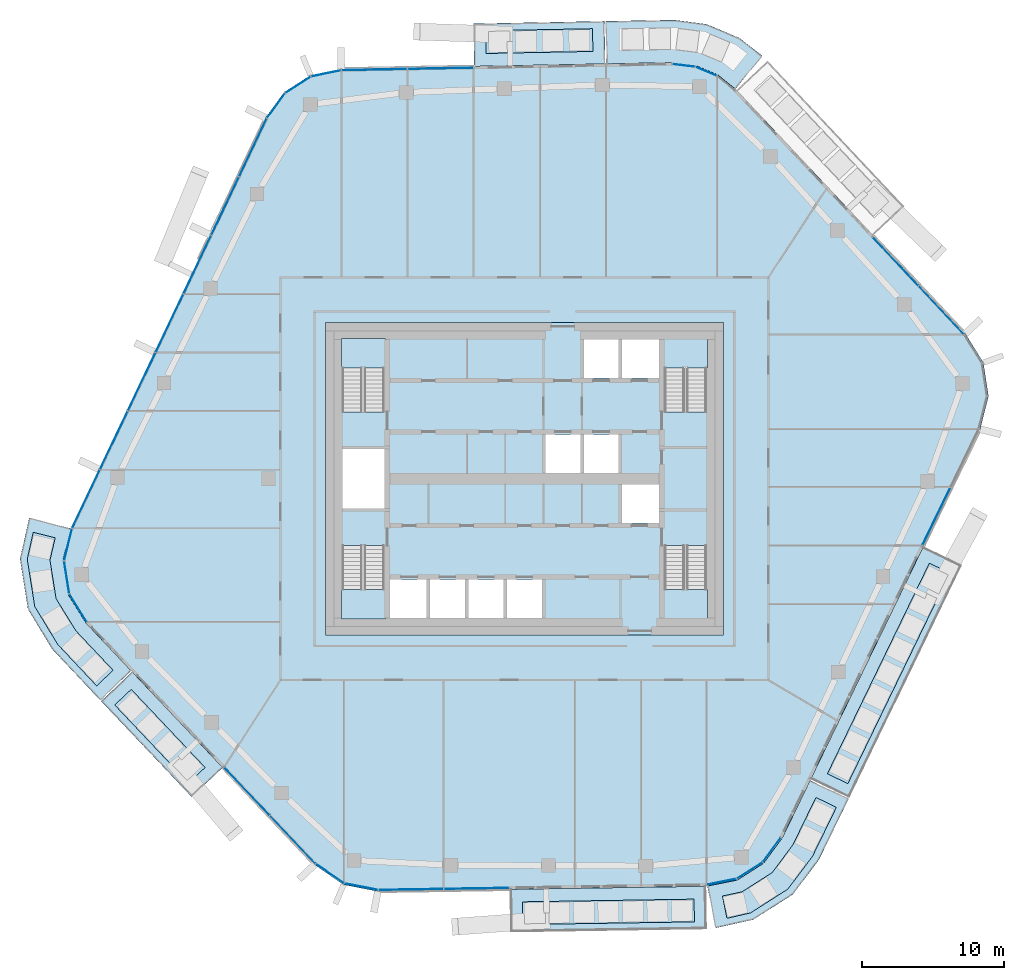
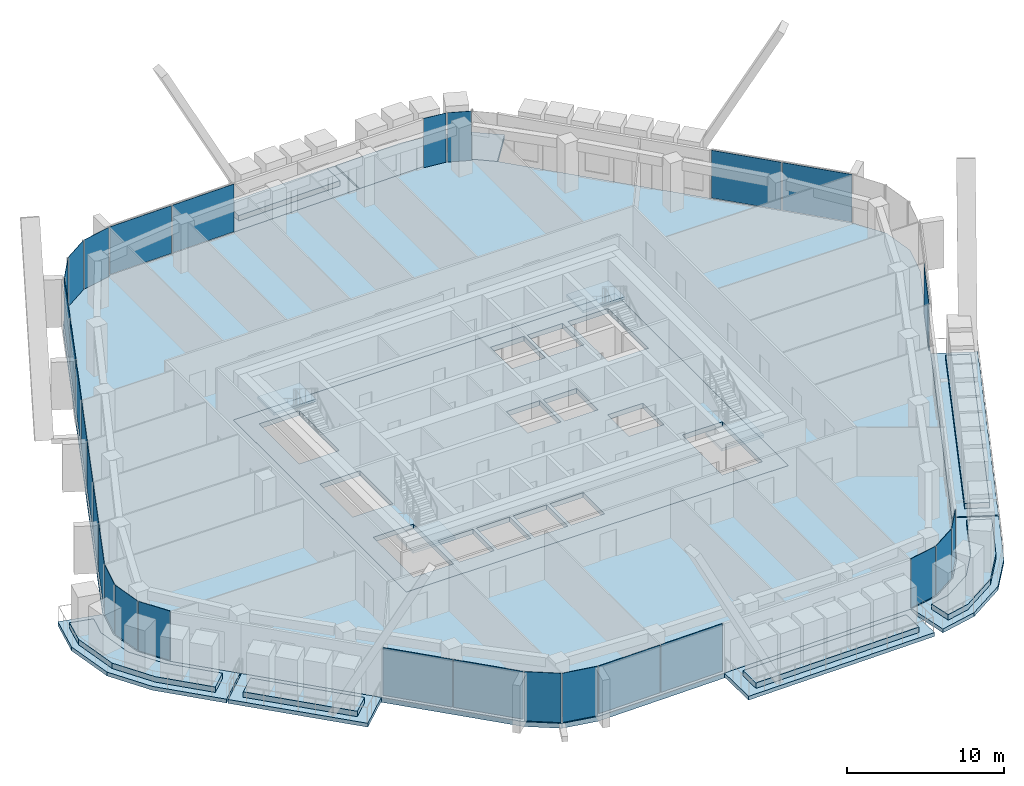
# One storey, part 11 of 24: 29 plates, 19 slabs, 15 elements without a shape of their own.
"""IFC4 building model written with IfcOpenShell, lengths in metres."""

import ifcopenshell
import ifcopenshell.guid

model = None  # the IFC model being written
_history = None  # IfcOwnerHistory: only IFC2X3 demands one
_inside = {}  # id of a spatial element -> (the spatial element, [elements in it])
_under = {}  # id of a project, library or spatial element -> (it, [spatial elements below it])
_declared = {}  # id of a project -> (the project, [libraries it declares])
_typed = {}  # id of a type object -> (the type object, [elements of that type])
_made_of = {}  # id of a material, layer set ... -> (it, [elements and type objects made of it])


def new_model(schema):
    """Start an empty IFC model of exactly this schema.

    Asked for "IFC4X3", IfcOpenShell would pick the latest addendum, in which some entities
    have other attributes; the version numbers below select the first issue.
    IFC2X3 requires an IfcOwnerHistory on every rooted entity: one is made here for all.
    """
    global model, _history
    if schema == "IFC4X3":
        model = ifcopenshell.file(schema_version=(4, 3, 0, 0))
    else:
        model = ifcopenshell.file(schema=schema)
    _inside.clear()
    _under.clear()
    _declared.clear()
    _typed.clear()
    _made_of.clear()
    _history = None
    if model.schema == "IFC2X3":
        org = make("IfcOrganization", Name="unknown")
        user = make(
            "IfcPersonAndOrganization",
            ThePerson=make("IfcPerson", FamilyName="unknown"),
            TheOrganization=org,
        )
        app = make(
            "IfcApplication",
            ApplicationDeveloper=org,
            Version="unknown",
            ApplicationFullName="unknown",
            ApplicationIdentifier="unknown",
        )
        _history = make(
            "IfcOwnerHistory",
            OwningUser=user,
            OwningApplication=app,
            ChangeAction="ADDED",
            CreationDate=0,
        )
    return model


def make(cls, **values):
    """One entity of the class cls with the attributes given. An attribute that is None is left unset."""
    return model.create_entity(
        cls, **{name: value for name, value in values.items() if value is not None}
    )


def rooted(cls, **values):
    """An entity with a GlobalId (a new one), such as an element, a storey or a relation."""
    return make(cls, GlobalId=ifcopenshell.guid.new(), OwnerHistory=_history, **values)


def si_unit(unit_type, name, prefix=None):
    """IfcSIUnit, for example si_unit("LENGTHUNIT", "METRE", prefix="MILLI")."""
    return make("IfcSIUnit", UnitType=unit_type, Prefix=prefix, Name=name)


def assignment(units):
    """IfcUnitAssignment: the units of a project."""
    return None if units is None else make("IfcUnitAssignment", Units=units)


def point(xyz):
    """IfcCartesianPoint."""
    return None if xyz is None else make("IfcCartesianPoint", Coordinates=xyz)


def direction(xyz):
    """IfcDirection."""
    return None if xyz is None else make("IfcDirection", DirectionRatios=xyz)


def frame(location, z_axis=None, x_axis=None):
    """IfcAxis2Placement3D, a coordinate frame: its origin and axes. An axis left out is left unset."""
    return make(
        "IfcAxis2Placement3D",
        Location=point(location),
        Axis=direction(z_axis),
        RefDirection=direction(x_axis),
    )


def frame_2d(location, x_axis=None):
    """IfcAxis2Placement2D, a coordinate frame in the plane: its origin and x axis."""
    return make(
        "IfcAxis2Placement2D", Location=point(location), RefDirection=direction(x_axis)
    )


def origin():
    """The frame at (0, 0, 0) with its axes left unset."""
    return frame((0.0, 0.0, 0.0))


def origin_2d():
    """The frame at (0, 0) in the plane with its x axis left unset."""
    return frame_2d((0.0, 0.0))


def place(relative_to, where):
    """IfcLocalPlacement: puts the frame where relative to a parent placement (None: the world)."""
    return make(
        "IfcLocalPlacement", PlacementRelTo=relative_to, RelativePlacement=where
    )


def context(
    kind, dimensions, precision=None, world=None, true_north=None, identifier=None
):
    """IfcGeometricRepresentationContext, for example the 3D "Model" context."""
    return make(
        "IfcGeometricRepresentationContext",
        ContextIdentifier=identifier,
        ContextType=kind,
        CoordinateSpaceDimension=dimensions,
        Precision=precision,
        WorldCoordinateSystem=world,
        TrueNorth=true_north,
    )


def subcontext(parent, identifier, kind, view, scale=None):
    """IfcGeometricRepresentationSubContext, for example "Body" below "Model"."""
    return make(
        "IfcGeometricRepresentationSubContext",
        ContextIdentifier=identifier,
        ContextType=kind,
        ParentContext=parent,
        TargetScale=scale,
        TargetView=view,
    )


def project(units=None, contexts=None):
    """IfcProject with its units and contexts."""
    return rooted(
        "IfcProject",
        Name="project",
        RepresentationContexts=contexts,
        UnitsInContext=assignment(units),
    )


def spatial(cls, under=None, at=None, **own):
    """A site, building, storey or space (cls), placed at a placement, below another one or the project."""
    s = rooted(cls, ObjectPlacement=at, **own)
    if under is not None:
        _under.setdefault(under.id(), (under, []))[1].append(s)
    return s


def polyline(points):
    """IfcPolyline through the points."""
    return make("IfcPolyline", Points=[point(p) for p in points])


def profile(cls, at=None, kind="AREA", **sizes):
    """A parametric profile (cls). Its sizes go by their IFC names, for example OverallWidth=200.0."""
    return make(cls, ProfileType=kind, Position=at, **sizes)


def rectangle(**sizes):
    """IfcRectangleProfileDef."""
    return profile("IfcRectangleProfileDef", **sizes)


def outline(outer, holes=None, kind="AREA"):
    """IfcArbitraryClosedProfileDef: a profile drawn as a closed curve; with holes, ...WithVoids."""
    if holes is None:
        return make("IfcArbitraryClosedProfileDef", ProfileType=kind, OuterCurve=outer)
    return make(
        "IfcArbitraryProfileDefWithVoids",
        ProfileType=kind,
        OuterCurve=outer,
        InnerCurves=holes,
    )


def extrude(swept, where, along, depth):
    """IfcExtrudedAreaSolid: the profile swept, set in the frame where, extruded along a direction by depth."""
    return make(
        "IfcExtrudedAreaSolid",
        SweptArea=swept,
        Position=where,
        ExtrudedDirection=direction(along),
        Depth=depth,
    )


def shape(context_of_items, identifier, shape_type, items):
    """IfcShapeRepresentation: the items that make up one representation, for example the "Body"."""
    return make(
        "IfcShapeRepresentation",
        ContextOfItems=context_of_items,
        RepresentationIdentifier=identifier,
        RepresentationType=shape_type,
        Items=items,
    )


def material(Name=None, Category=None):
    """IfcMaterial."""
    return make("IfcMaterial", Name=Name, Category=Category)


def layer(
    of_material, thickness, ventilated=None, Name=None, Category=None, Priority=None
):
    """IfcMaterialLayer: one layer of a wall or slab, of a material (None: an air gap)."""
    return make(
        "IfcMaterialLayer",
        Material=of_material,
        LayerThickness=thickness,
        IsVentilated=ventilated,
        Name=Name,
        Category=Category,
        Priority=Priority,
    )


def layer_set(layers, Name=None):
    """IfcMaterialLayerSet."""
    return make("IfcMaterialLayerSet", MaterialLayers=layers, LayerSetName=Name)


def made_of(thing, what):
    """Note that an element or type object is made of a material, layer set ...; save() writes the relation."""
    if what is not None:
        _made_of.setdefault(what.id(), (what, []))[1].append(thing)
    return thing


def type_object(cls, material=None, **own):
    """A type object (cls), such as IfcWallType, which elements share."""
    return made_of(rooted(cls, **own), material)


def element(
    cls,
    number,
    at=None,
    inside=None,
    cuts=None,
    type_object=None,
    material=None,
    context=None,
    identifier="Body",
    shape_type=None,
    held_by="IfcProductDefinitionShape",
    body=None,
    shapes=None,
    **own,
):
    """One element of the class cls, such as IfcWall. Its Tag is "e" and its number.

    at: its placement. inside: the storey or other place that contains it. cuts: it is an
    opening in that element (IfcRelVoidsElement). A single representation is given by context,
    identifier, shape_type and body (its items); several are given by shapes. held_by: the class
    of the entity that holds the representations. save() writes the other relations.
    """
    e = rooted(cls, Tag="e%d" % number, ObjectPlacement=at, **own)
    if body is not None:
        shapes = [shape(context, identifier, shape_type, body)]
    if shapes is not None:
        e.Representation = make(held_by, Representations=shapes)
    if inside is not None:
        _inside.setdefault(inside.id(), (inside, []))[1].append(e)
    if cuts is not None:
        rooted(
            "IfcRelVoidsElement", RelatingBuildingElement=cuts, RelatedOpeningElement=e
        )
    if type_object is not None:
        _typed.setdefault(type_object.id(), (type_object, []))[1].append(e)
    return made_of(e, material)


def aggregate(whole, parts):
    """IfcRelAggregates: a whole, such as a stair, and the parts it consists of."""
    return rooted("IfcRelAggregates", RelatingObject=whole, RelatedObjects=parts)


def save(model, path):
    """Write the relations noted so far, then the file.

    IfcRelAggregates (storeys below a building ...), IfcRelContainedInSpatialStructure (elements
    in a storey), IfcRelDefinesByType, IfcRelAssociatesMaterial and IfcRelDeclares: one each for
    every whole, place, type object, material and project.
    """
    for whole, parts in _under.values():
        aggregate(whole, parts)
    for where, things in _inside.values():
        rooted(
            "IfcRelContainedInSpatialStructure",
            RelatedElements=things,
            RelatingStructure=where,
        )
    for kind, things in _typed.values():
        rooted("IfcRelDefinesByType", RelatedObjects=things, RelatingType=kind)
    for what, things in _made_of.values():
        rooted("IfcRelAssociatesMaterial", RelatedObjects=things, RelatingMaterial=what)
    for by, libraries in _declared.values():
        rooted("IfcRelDeclares", RelatingContext=by, RelatedDefinitions=libraries)
    model.write(path)


model = new_model("IFC4")

# Units and contexts
model_context = context("Model", 3, precision=1e-05, world=origin(), true_north=direction((0.0, 1.0)))
body_context = subcontext(model_context, "Body", "Model", "MODEL_VIEW")
ifc_project = project(units=[si_unit("LENGTHUNIT", "METRE"), si_unit("AREAUNIT", "SQUARE_METRE"), si_unit("VOLUMEUNIT", "CUBIC_METRE"), si_unit("PLANEANGLEUNIT", "RADIAN"), si_unit("MASSUNIT", "GRAM", prefix="KILO")], contexts=[model_context])

# Site, building, storey
site_placement = place(None, origin())
site = spatial("IfcSite", under=ifc_project, at=site_placement, CompositionType="ELEMENT")
building_placement = place(site_placement, origin())
building = spatial("IfcBuilding", under=site, at=building_placement, Name="Dongbaek Canopy Tower", CompositionType="ELEMENT")
storey_placement = place(building_placement, frame((0.0, 0.0, 298.39990234375)))
storey = spatial("IfcBuildingStorey", under=building, at=storey_placement, Name="L63", CompositionType="ELEMENT", Elevation=298.39990234375)

# Slabs
ifc_material_1 = material(Name="Concrete C40/50", Category="concrete")
ifc_layer_1 = layer(ifc_material_1, 0.300048828125)
ifc_layer_set_1 = layer_set([ifc_layer_1], Name="Balcony slab 300")
slab_type_1 = type_object("IfcSlabType", Name="Balcony slab 300", PredefinedType="FLOOR", material=ifc_layer_set_1)
slab_1_placement = place(storey_placement, frame((0.0, 0.0, -0.2998046875)))
element("IfcSlab", 1, at=slab_1_placement, inside=storey, type_object=slab_type_1, Name="Balcony L63 2", PredefinedType="FLOOR", context=body_context, shape_type="SweptSolid", body=[
    extrude(outline(polyline([(5.68310546875, 29.171875), (-3.52685546875, 28.99755859375), (-3.58349609375, 31.9970703125), (5.62646484375, 32.17138671875), (5.68310546875, 29.171875)])), origin(), (0.0, 0.0, 1.0), 0.2998046875),
])
slab_2_placement = place(storey_placement, frame((0.0, 0.0, -0.2998046875)))
element("IfcSlab", 2, at=slab_2_placement, inside=storey, type_object=slab_type_1, Name="Balcony L63 6", PredefinedType="FLOOR", context=body_context, shape_type="SweptSolid", body=[
    extrude(outline(polyline([(14.834716796875, 27.402099609375), (13.575927734375, 28.414306640625), (12.041259765625, 29.060791015625), (10.387939453125, 29.2607421875), (5.782958984375, 29.173583984375), (5.726318359375, 32.173095703125), (10.5400390625, 32.2568359375), (12.81103515625, 31.96044921875), (15.113037109375, 30.990478515625), (16.714599609375, 29.740234375), (14.834716796875, 27.402099609375)])), origin(), (0.0, 0.0, 1.0), 0.2998046875),
])
slab_3_placement = place(storey_placement, frame((0.0, 0.0, -0.2998046875)))
element("IfcSlab", 3, at=slab_3_placement, inside=storey, type_object=slab_type_1, Name="Balcony L63 3", PredefinedType="FLOOR", context=body_context, shape_type="SweptSolid", body=[
    extrude(outline(polyline([(-27.58154296875, -13.57568359375), (-21.217041015625, -20.3017578125), (-23.39599609375, -22.36376953125), (-29.7607421875, -15.6376953125), (-27.58154296875, -13.57568359375)])), origin(), (0.0, 0.0, 1.0), 0.2998046875),
])
slab_4_placement = place(storey_placement, frame((0.0, 0.0, -0.2998046875)))
element("IfcSlab", 4, at=slab_4_placement, inside=storey, type_object=slab_type_1, Name="Balcony L63 7", PredefinedType="FLOOR", context=body_context, shape_type="SweptSolid", body=[
    extrude(outline(polyline([(-31.906005859375, -3.48974609375), (-32.468994140625, -5.757568359375), (-32.095458984375, -8.114990234375), (-30.832763671875, -10.14013671875), (-27.650390625, -13.503173828125), (-29.829345703125, -15.565185546875), (-33.20703125, -11.973876953125), (-34.906005859375, -9.164306640625), (-35.46630859375, -5.62841796875), (-34.817626953125, -2.76708984375), (-31.906005859375, -3.48974609375)])), origin(), (0.0, 0.0, 1.0), 0.2998046875),
])
slab_5_placement = place(storey_placement, frame((0.0, 0.0, -0.2998046875)))
element("IfcSlab", 5, at=slab_5_placement, inside=storey, type_object=slab_type_1, Name="Balcony L63 4", PredefinedType="FLOOR", context=body_context, shape_type="SweptSolid", body=[
    extrude(outline(polyline([(-1.003173828125, -28.866455078125), (12.76220703125, -28.650634765625), (12.809326171875, -31.650146484375), (-0.956298828125, -31.8662109375), (-1.003173828125, -28.866455078125)])), origin(), (0.0, 0.0, 1.0), 0.2998046875),
])
slab_6_placement = place(storey_placement, frame((0.0, 0.0, -0.2998046875)))
element("IfcSlab", 6, at=slab_6_placement, inside=storey, type_object=slab_type_1, Name="Balcony L63 5", PredefinedType="FLOOR", context=body_context, shape_type="SweptSolid", body=[
    extrude(outline(polyline([(20.128662109375, -21.11474609375), (28.0390625, -4.780517578125), (30.739013671875, -6.088134765625), (22.82861328125, -22.42236328125), (20.128662109375, -21.11474609375)])), origin(), (0.0, 0.0, 1.0), 0.2998046875),
])
slab_7_placement = place(storey_placement, frame((0.0, 0.0, -0.2998046875)))
element("IfcSlab", 7, at=slab_7_placement, inside=storey, type_object=slab_type_1, Name="Balcony L63 8", PredefinedType="FLOOR", context=body_context, shape_type="SweptSolid", body=[
    extrude(outline(polyline([(12.861328125, -28.639892578125), (14.96435546875, -28.214111328125), (16.815673828125, -27.033447265625), (18.118408203125, -25.265625), (20.0849609375, -21.20458984375), (22.78515625, -22.51220703125), (20.686767578125, -26.81591796875), (18.864501953125, -29.224853515625), (16.087646484375, -30.99609375), (13.45654296875, -31.580322265625), (12.861328125, -28.639892578125)])), origin(), (0.0, 0.0, 1.0), 0.2998046875),
])

# Curtain wall, plates
ifc_material_2 = material(Name="Aluminium 6063-T6 pale anodised", Category="aluminium")
ifc_layer_2 = layer(ifc_material_2, 0.199951171875)
ifc_layer_set_2 = layer_set([ifc_layer_2], Name="CW-1 unitised tower curtain wall")
curtain_wall_type = type_object("IfcCurtainWallType", Name="CW-1 unitised tower curtain wall", PredefinedType="NOTDEFINED", material=ifc_layer_set_2)
curtain_wall_1_placement = place(storey_placement, origin())
curtain_wall_1 = element("IfcCurtainWall", 8, at=curtain_wall_1_placement, inside=storey, type_object=curtain_wall_type, Name="CW-1 curtain wall F0.1", PredefinedType="NOTDEFINED")
ifc_material_3 = material(Name="Clear laminated glass", Category="glass")
ifc_layer_3 = layer(ifc_material_3, 0.028076171875)
ifc_layer_set_3 = layer_set([ifc_layer_3], Name="CW-1 glazed panel 28")
plate_type = type_object("IfcPlateType", Name="CW-1 glazed panel 28", PredefinedType="CURTAIN_PANEL", material=ifc_layer_set_3)
plate_1_placement = place(storey_placement, frame((29.320068359375, 11.85302734375, 0.1201171875), z_axis=(0.0, 0.0, 1.0), x_axis=(-0.684830626177, 0.728702280393, 0.0)))
plate_1 = element("IfcPlate", 9, at=plate_1_placement, type_object=plate_type, Name="CW-1 panel F0.1.1.1", PredefinedType="CURTAIN_PANEL", context=body_context, shape_type="SweptSolid", body=[
    extrude(rectangle(XDim=4.618408203125, YDim=0.028076171875, at=origin_2d()), origin(), (0.0, 0.0, 1.0), 3.699951171875),
])
plate_2_placement = place(storey_placement, frame((26.09619140625, 15.283203125, 0.1201171875), z_axis=(0.0, 0.0, 1.0), x_axis=(-0.684830626177, 0.728702280393, 0.0)))
plate_2 = element("IfcPlate", 10, at=plate_2_placement, type_object=plate_type, Name="CW-1 panel F0.1.2.1", PredefinedType="CURTAIN_PANEL", context=body_context, shape_type="SweptSolid", body=[
    extrude(rectangle(XDim=4.62841796875, YDim=0.028076171875, at=origin_2d()), origin(), (0.0, 0.0, 1.0), 3.699951171875),
])
aggregate(curtain_wall_1, [plate_1, plate_2])

curtain_wall_2_placement = place(storey_placement, origin())
curtain_wall_2 = element("IfcCurtainWall", 11, at=curtain_wall_2_placement, inside=storey, type_object=curtain_wall_type, Name="CW-1 curtain wall K1.1", PredefinedType="NOTDEFINED")
plate_3_placement = place(storey_placement, frame((12.769775390625, 28.6455078125, 0.0), z_axis=(0.0, 0.0, 1.0), x_axis=(-0.921543381479, 0.38827541263, 0.0)))
plate_3 = element("IfcPlate", 12, at=plate_3_placement, type_object=plate_type, Name="CW-1 panel K1.1.2.1", PredefinedType="CURTAIN_PANEL", context=body_context, shape_type="SweptSolid", body=[
    extrude(rectangle(XDim=1.55322265625, YDim=0.028076171875, at=origin_2d()), origin(), (0.0, 0.0, 1.0), 3.820068359375),
])
plate_4_placement = place(storey_placement, frame((11.198974609375, 29.06201171875, 0.0), z_axis=(0.0, 0.0, 1.0), x_axis=(-0.992770795832, 0.120025609533, 0.0)))
plate_4 = element("IfcPlate", 13, at=plate_4_placement, type_object=plate_type, Name="CW-1 panel K1.1.3.1", PredefinedType="CURTAIN_PANEL", context=body_context, shape_type="SweptSolid", body=[
    extrude(rectangle(XDim=1.560302734375, YDim=0.028076171875, at=origin_2d()), origin(), (0.0, 0.0, 1.0), 3.820068359375),
])
aggregate(curtain_wall_2, [plate_3, plate_4])

curtain_wall_3_placement = place(storey_placement, origin())
curtain_wall_3 = element("IfcCurtainWall", 14, at=curtain_wall_3_placement, inside=storey, type_object=curtain_wall_type, Name="CW-1 curtain wall F1.1", PredefinedType="NOTDEFINED")
plate_5_placement = place(storey_placement, frame((-5.90234375, 28.852783203125, 0.1201171875), z_axis=(0.0, 0.0, 1.0), x_axis=(-0.999821283067, -0.018905076744, 0.0)))
plate_5 = element("IfcPlate", 15, at=plate_5_placement, type_object=plate_type, Name="CW-1 panel F1.1.1.1", PredefinedType="CURTAIN_PANEL", context=body_context, shape_type="SweptSolid", body=[
    extrude(rectangle(XDim=4.57177734375, YDim=0.028076171875, at=origin_2d()), origin(), (0.0, 0.0, 1.0), 3.699951171875),
])
plate_6_placement = place(storey_placement, frame((-10.552734375, 28.764892578125, 0.1201171875), z_axis=(0.0, 0.0, 1.0), x_axis=(-0.999821283067, -0.018905076744, 0.0)))
plate_6 = element("IfcPlate", 16, at=plate_6_placement, type_object=plate_type, Name="CW-1 panel F1.1.2.1", PredefinedType="CURTAIN_PANEL", context=body_context, shape_type="SweptSolid", body=[
    extrude(rectangle(XDim=4.5625, YDim=0.028076171875, at=origin_2d()), origin(), (0.0, 0.0, 1.0), 3.699951171875),
])
aggregate(curtain_wall_3, [plate_5, plate_6])

curtain_wall_4_placement = place(storey_placement, origin())
curtain_wall_4 = element("IfcCurtainWall", 17, at=curtain_wall_4_placement, inside=storey, type_object=curtain_wall_type, Name="CW-1 curtain wall K2.1", PredefinedType="NOTDEFINED")
plate_7_placement = place(storey_placement, frame((-13.941162109375, 28.500732421875, 0.0), z_axis=(0.0, 0.0, 1.0), x_axis=(-0.979338843238, -0.202226185556, 0.0)))
plate_7 = element("IfcPlate", 18, at=plate_7_placement, type_object=plate_type, Name="CW-1 panel K2.1.1.1", PredefinedType="CURTAIN_PANEL", context=body_context, shape_type="SweptSolid", body=[
    extrude(rectangle(XDim=2.092041015625, YDim=0.028076171875, at=origin_2d()), origin(), (0.0, 0.0, 1.0), 3.820068359375),
])
plate_8_placement = place(storey_placement, frame((-15.9169921875, 27.693359375, 0.0), z_axis=(0.0, 0.0, 1.0), x_axis=(-0.840235342412, -0.542221882039, 0.0)))
plate_8 = element("IfcPlate", 19, at=plate_8_placement, type_object=plate_type, Name="CW-1 panel K2.1.2.1", PredefinedType="CURTAIN_PANEL", context=body_context, shape_type="SweptSolid", body=[
    extrude(rectangle(XDim=2.082763671875, YDim=0.028076171875, at=origin_2d()), origin(), (0.0, 0.0, 1.0), 3.820068359375),
])
plate_9_placement = place(storey_placement, frame((-17.466796875, 26.2255859375, 0.0), z_axis=(0.0, 0.0, 1.0), x_axis=(-0.587744722494, -0.809046439446, 0.0)))
plate_9 = element("IfcPlate", 20, at=plate_9_placement, type_object=plate_type, Name="CW-1 panel K2.1.3.1", PredefinedType="CURTAIN_PANEL", context=body_context, shape_type="SweptSolid", body=[
    extrude(rectangle(XDim=2.092041015625, YDim=0.028076171875, at=origin_2d()), origin(), (0.0, 0.0, 1.0), 3.820068359375),
])
aggregate(curtain_wall_4, [plate_7, plate_8, plate_9])

curtain_wall_5_placement = place(storey_placement, origin())
curtain_wall_5 = element("IfcCurtainWall", 21, at=curtain_wall_5_placement, inside=storey, type_object=curtain_wall_type, Name="CW-1 curtain wall F2.1", PredefinedType="NOTDEFINED")
plate_10_placement = place(storey_placement, frame((-19.0830078125, 23.28955078125, 0.1201171875), z_axis=(0.0, 0.0, 1.0), x_axis=(-0.429143310174, -0.903236413866, 0.0)))
plate_10 = element("IfcPlate", 22, at=plate_10_placement, type_object=plate_type, Name="CW-1 panel F2.1.1.1", PredefinedType="CURTAIN_PANEL", context=body_context, shape_type="SweptSolid", body=[
    extrude(rectangle(XDim=4.4677734375, YDim=0.028076171875, at=origin_2d()), origin(), (0.0, 0.0, 1.0), 3.699951171875),
])
plate_11_placement = place(storey_placement, frame((-21.038330078125, 19.174072265625, 0.1201171875), z_axis=(0.0, 0.0, 1.0), x_axis=(-0.429143310174, -0.903236413866, 0.0)))
plate_11 = element("IfcPlate", 23, at=plate_11_placement, type_object=plate_type, Name="CW-1 panel F2.1.2.1", PredefinedType="CURTAIN_PANEL", context=body_context, shape_type="SweptSolid", body=[
    extrude(rectangle(XDim=4.47705078125, YDim=0.028076171875, at=origin_2d()), origin(), (0.0, 0.0, 1.0), 3.699951171875),
])
plate_12_placement = place(storey_placement, frame((-22.99560546875, 15.054443359375, 0.1201171875), z_axis=(0.0, 0.0, 1.0), x_axis=(-0.429143310174, -0.903236413866, 0.0)))
plate_12 = element("IfcPlate", 24, at=plate_12_placement, type_object=plate_type, Name="CW-1 panel F2.1.3.1", PredefinedType="CURTAIN_PANEL", context=body_context, shape_type="SweptSolid", body=[
    extrude(rectangle(XDim=4.47705078125, YDim=0.028076171875, at=origin_2d()), origin(), (0.0, 0.0, 1.0), 3.699951171875),
])
plate_13_placement = place(storey_placement, frame((-24.952880859375, 10.934814453125, 0.1201171875), z_axis=(0.0, 0.0, 1.0), x_axis=(-0.429143310174, -0.903236413866, 0.0)))
plate_13 = element("IfcPlate", 25, at=plate_13_placement, type_object=plate_type, Name="CW-1 panel F2.1.4.1", PredefinedType="CURTAIN_PANEL", context=body_context, shape_type="SweptSolid", body=[
    extrude(rectangle(XDim=4.47705078125, YDim=0.028076171875, at=origin_2d()), origin(), (0.0, 0.0, 1.0), 3.699951171875),
])
plate_14_placement = place(storey_placement, frame((-26.910400390625, 6.81494140625, 0.1201171875), z_axis=(0.0, 0.0, 1.0), x_axis=(-0.429143310174, -0.903236413866, 0.0)))
plate_14 = element("IfcPlate", 26, at=plate_14_placement, type_object=plate_type, Name="CW-1 panel F2.1.5.1", PredefinedType="CURTAIN_PANEL", context=body_context, shape_type="SweptSolid", body=[
    extrude(rectangle(XDim=4.47705078125, YDim=0.028076171875, at=origin_2d()), origin(), (0.0, 0.0, 1.0), 3.699951171875),
])
plate_15_placement = place(storey_placement, frame((-28.86767578125, 2.6953125, 0.1201171875), z_axis=(0.0, 0.0, 1.0), x_axis=(-0.429143310174, -0.903236413866, 0.0)))
plate_15 = element("IfcPlate", 27, at=plate_15_placement, type_object=plate_type, Name="CW-1 panel F2.1.6.1", PredefinedType="CURTAIN_PANEL", context=body_context, shape_type="SweptSolid", body=[
    extrude(rectangle(XDim=4.47705078125, YDim=0.028076171875, at=origin_2d()), origin(), (0.0, 0.0, 1.0), 3.699951171875),
])
plate_16_placement = place(storey_placement, frame((-30.82275390625, -1.419921875, 0.1201171875), z_axis=(0.0, 0.0, 1.0), x_axis=(-0.429143310174, -0.903236413866, 0.0)))
plate_16 = element("IfcPlate", 28, at=plate_16_placement, type_object=plate_type, Name="CW-1 panel F2.1.7.1", PredefinedType="CURTAIN_PANEL", context=body_context, shape_type="SweptSolid", body=[
    extrude(rectangle(XDim=4.467041015625, YDim=0.028076171875, at=origin_2d()), origin(), (0.0, 0.0, 1.0), 3.699951171875),
])
aggregate(curtain_wall_5, [plate_10, plate_11, plate_12, plate_13, plate_14, plate_15, plate_16])

curtain_wall_6_placement = place(storey_placement, origin())
curtain_wall_6 = element("IfcCurtainWall", 29, at=curtain_wall_6_placement, inside=storey, type_object=curtain_wall_type, Name="CW-1 curtain wall K3.1", PredefinedType="NOTDEFINED")
plate_17_placement = place(storey_placement, frame((-32.083251953125, -4.61865234375, 0.0), z_axis=(0.0, 0.0, 1.0), x_axis=(-0.240927401867, -0.970543140221, 0.0)))
plate_17 = element("IfcPlate", 30, at=plate_17_placement, type_object=plate_type, Name="CW-1 panel K3.1.1.1", PredefinedType="CURTAIN_PANEL", context=body_context, shape_type="SweptSolid", body=[
    extrude(rectangle(XDim=2.272216796875, YDim=0.028076171875, at=origin_2d()), origin(), (0.0, 0.0, 1.0), 3.820068359375),
])
plate_18_placement = place(storey_placement, frame((-32.18359375, -6.920654296875, 0.0), z_axis=(0.0, 0.0, 1.0), x_axis=(0.156478612427, -0.987681347325, 0.0)))
plate_18 = element("IfcPlate", 31, at=plate_18_placement, type_object=plate_type, Name="CW-1 panel K3.1.2.1", PredefinedType="CURTAIN_PANEL", context=body_context, shape_type="SweptSolid", body=[
    extrude(rectangle(XDim=2.261962890625, YDim=0.028076171875, at=origin_2d()), origin(), (0.0, 0.0, 1.0), 3.820068359375),
])
plate_19_placement = place(storey_placement, frame((-31.37646484375, -9.078857421875, 0.0), z_axis=(0.0, 0.0, 1.0), x_axis=(0.529125757844, -0.848543418091, 0.0)))
plate_19 = element("IfcPlate", 32, at=plate_19_placement, type_object=plate_type, Name="CW-1 panel K3.1.3.1", PredefinedType="CURTAIN_PANEL", context=body_context, shape_type="SweptSolid", body=[
    extrude(rectangle(XDim=2.272216796875, YDim=0.028076171875, at=origin_2d()), origin(), (0.0, 0.0, 1.0), 3.820068359375),
])
aggregate(curtain_wall_6, [plate_17, plate_18, plate_19])

curtain_wall_7_placement = place(storey_placement, origin())
curtain_wall_7 = element("IfcCurtainWall", 33, at=curtain_wall_7_placement, inside=storey, type_object=curtain_wall_type, Name="CW-1 curtain wall F3.1", PredefinedType="NOTDEFINED")
plate_20_placement = place(storey_placement, frame((-19.501708984375, -21.96923828125, 0.1201171875), z_axis=(0.0, 0.0, 1.0), x_axis=(0.687319879132, -0.72635486076, 0.0)))
plate_20 = element("IfcPlate", 34, at=plate_20_placement, type_object=plate_type, Name="CW-1 panel F3.1.1.1", PredefinedType="CURTAIN_PANEL", context=body_context, shape_type="SweptSolid", body=[
    extrude(rectangle(XDim=4.595947265625, YDim=0.028076171875, at=origin_2d()), origin(), (0.0, 0.0, 1.0), 3.699951171875),
])
plate_21_placement = place(storey_placement, frame((-16.28857421875, -25.36474609375, 0.1201171875), z_axis=(0.0, 0.0, 1.0), x_axis=(0.687319879132, -0.72635486076, 0.0)))
plate_21 = element("IfcPlate", 35, at=plate_21_placement, type_object=plate_type, Name="CW-1 panel F3.1.2.1", PredefinedType="CURTAIN_PANEL", context=body_context, shape_type="SweptSolid", body=[
    extrude(rectangle(XDim=4.585693359375, YDim=0.028076171875, at=origin_2d()), origin(), (0.0, 0.0, 1.0), 3.699951171875),
])
aggregate(curtain_wall_7, [plate_20, plate_21])

curtain_wall_8_placement = place(storey_placement, origin())
curtain_wall_8 = element("IfcCurtainWall", 36, at=curtain_wall_8_placement, inside=storey, type_object=curtain_wall_type, Name="CW-1 curtain wall K4.1", PredefinedType="NOTDEFINED")
plate_22_placement = place(storey_placement, frame((-13.68212890625, -27.75439453125, 0.0), z_axis=(0.0, 0.0, 1.0), x_axis=(0.822028873254, -0.569445810886, 0.0)))
plate_22 = element("IfcPlate", 37, at=plate_22_placement, type_object=plate_type, Name="CW-1 panel K4.1.1.1", PredefinedType="CURTAIN_PANEL", context=body_context, shape_type="SweptSolid", body=[
    extrude(rectangle(XDim=2.352783203125, YDim=0.028076171875, at=origin_2d()), origin(), (0.0, 0.0, 1.0), 3.820068359375),
])
plate_23_placement = place(storey_placement, frame((-11.484375, -28.68017578125, 0.0), z_axis=(0.0, 0.0, 1.0), x_axis=(0.981722233232, -0.190319354711, 0.0)))
plate_23 = element("IfcPlate", 38, at=plate_23_placement, type_object=plate_type, Name="CW-1 panel K4.1.2.1", PredefinedType="CURTAIN_PANEL", context=body_context, shape_type="SweptSolid", body=[
    extrude(rectangle(XDim=2.352783203125, YDim=0.028076171875, at=origin_2d()), origin(), (0.0, 0.0, 1.0), 3.820068359375),
])
aggregate(curtain_wall_8, [plate_22, plate_23])

curtain_wall_9_placement = place(storey_placement, origin())
curtain_wall_9 = element("IfcCurtainWall", 39, at=curtain_wall_9_placement, inside=storey, type_object=curtain_wall_type, Name="CW-1 curtain wall F4.1", PredefinedType="NOTDEFINED")
plate_24_placement = place(storey_placement, frame((-7.982421875, -28.8759765625, 0.1201171875), z_axis=(0.0, 0.0, 1.0), x_axis=(0.999876999065, 0.015683964455, 0.0)))
plate_24 = element("IfcPlate", 40, at=plate_24_placement, type_object=plate_type, Name="CW-1 panel F4.1.1.1", PredefinedType="CURTAIN_PANEL", context=body_context, shape_type="SweptSolid", body=[
    extrude(rectangle(XDim=4.528076171875, YDim=0.028076171875, at=origin_2d()), origin(), (0.0, 0.0, 1.0), 3.699951171875),
])
plate_25_placement = place(storey_placement, frame((-3.36572265625, -28.803466796875, 0.1201171875), z_axis=(0.0, 0.0, 1.0), x_axis=(0.999876999065, 0.015683964455, 0.0)))
plate_25 = element("IfcPlate", 41, at=plate_25_placement, type_object=plate_type, Name="CW-1 panel F4.1.2.1", PredefinedType="CURTAIN_PANEL", context=body_context, shape_type="SweptSolid", body=[
    extrude(rectangle(XDim=4.538330078125, YDim=0.028076171875, at=origin_2d()), origin(), (0.0, 0.0, 1.0), 3.699951171875),
])
aggregate(curtain_wall_9, [plate_24, plate_25])

curtain_wall_10_placement = place(storey_placement, origin())
curtain_wall_10 = element("IfcCurtainWall", 42, at=curtain_wall_10_placement, inside=storey, type_object=curtain_wall_type, Name="CW-1 curtain wall K5.1", PredefinedType="NOTDEFINED")
plate_26_placement = place(storey_placement, frame((13.864013671875, -28.3349609375, 0.0), z_axis=(0.0, 0.0, 1.0), x_axis=(0.98012540497, 0.19837890647, 0.0)))
plate_26 = element("IfcPlate", 43, at=plate_26_placement, type_object=plate_type, Name="CW-1 panel K5.1.1.1", PredefinedType="CURTAIN_PANEL", context=body_context, shape_type="SweptSolid", body=[
    extrude(rectangle(XDim=2.083984375, YDim=0.028076171875, at=origin_2d()), origin(), (0.0, 0.0, 1.0), 3.820068359375),
])
plate_27_placement = place(storey_placement, frame((15.83642578125, -27.53955078125, 0.0), z_axis=(0.0, 0.0, 1.0), x_axis=(0.843117414941, 0.53772950879, 0.0)))
plate_27 = element("IfcPlate", 44, at=plate_27_placement, type_object=plate_type, Name="CW-1 panel K5.1.2.1", PredefinedType="CURTAIN_PANEL", context=body_context, shape_type="SweptSolid", body=[
    extrude(rectangle(XDim=2.074462890625, YDim=0.028076171875, at=origin_2d()), origin(), (0.0, 0.0, 1.0), 3.820068359375),
])
plate_28_placement = place(storey_placement, frame((17.389404296875, -26.08642578125, 0.0), z_axis=(0.0, 0.0, 1.0), x_axis=(0.593190692138, 0.805061986906, 0.0)))
plate_28 = element("IfcPlate", 45, at=plate_28_placement, type_object=plate_type, Name="CW-1 panel K5.1.3.1", PredefinedType="CURTAIN_PANEL", context=body_context, shape_type="SweptSolid", body=[
    extrude(rectangle(XDim=2.083984375, YDim=0.028076171875, at=origin_2d()), origin(), (0.0, 0.0, 1.0), 3.820068359375),
])
aggregate(curtain_wall_10, [plate_26, plate_27, plate_28])

# Curtain wall, plate
curtain_wall_11_placement = place(storey_placement, origin())
curtain_wall_11 = element("IfcCurtainWall", 46, at=curtain_wall_11_placement, inside=storey, type_object=curtain_wall_type, Name="CW-1 curtain wall F5.1", PredefinedType="NOTDEFINED")
plate_29_placement = place(storey_placement, frame((28.965087890625, -2.638916015625, 0.1201171875), z_axis=(0.0, 0.0, 1.0), x_axis=(0.435863332121, 0.900012864193, 0.0)))
plate_29 = element("IfcPlate", 47, at=plate_29_placement, type_object=plate_type, Name="CW-1 panel F5.1.1.1", PredefinedType="CURTAIN_PANEL", context=body_context, shape_type="SweptSolid", body=[
    extrude(rectangle(XDim=4.478271484375, YDim=0.028076171875, at=origin_2d()), origin(), (0.0, 0.0, 1.0), 3.699951171875),
])
aggregate(curtain_wall_11, [plate_29])

# Slab
ifc_material_4 = material(Name="Concrete C40/50", Category="concrete")
ifc_layer_4 = layer(ifc_material_4, 0.3798828125)
ifc_layer_set_4 = layer_set([ifc_layer_4], Name="Core floor slab 380 Concrete C40/50")
slab_type_2 = type_object("IfcSlabType", Name="Core floor slab 380 Concrete C40/50", PredefinedType="FLOOR", material=ifc_layer_set_4)
slab_8_placement = place(storey_placement, frame((0.0, 0.0, -0.3798828125)))
element("IfcSlab", 48, at=slab_8_placement, inside=storey, type_object=slab_type_2, Name="Core floor slab L63", PredefinedType="FLOOR", context=body_context, shape_type="SweptSolid", body=[
    extrude(outline(polyline([(14.0, -11.0), (14.0, 11.0), (-14.0, 11.0), (-14.0, -11.0), (14.0, -11.0)]), holes=[polyline([(-12.800048828125, 2.10009765625), (-9.85009765625, 2.10009765625), (-9.85009765625, -2.10009765625), (-12.800048828125, -2.10009765625), (-12.800048828125, 2.10009765625)]), polyline([(6.625, 9.800048828125), (6.625, 7.074951171875), (4.175048828125, 7.074951171875), (4.175048828125, 9.800048828125), (6.625, 9.800048828125)]), polyline([(9.449951171875, 7.074951171875), (6.875, 7.074951171875), (6.875, 9.800048828125), (9.449951171875, 9.800048828125), (9.449951171875, 7.074951171875)]), polyline([(1.47509765625, 0.39990234375), (1.47509765625, 3.125), (3.925048828125, 3.125), (3.925048828125, 0.39990234375), (1.47509765625, 0.39990234375)]), polyline([(4.175048828125, 0.39990234375), (4.175048828125, 3.125), (6.625, 3.125), (6.625, 0.39990234375), (4.175048828125, 0.39990234375)]), polyline([(9.449951171875, -3.125), (6.875, -3.125), (6.875, -0.39990234375), (9.449951171875, -0.39990234375), (9.449951171875, -3.125)]), polyline([(-9.449951171875, -7.074951171875), (-6.875, -7.074951171875), (-6.875, -9.800048828125), (-9.449951171875, -9.800048828125), (-9.449951171875, -7.074951171875)]), polyline([(-6.625, -9.800048828125), (-6.625, -7.074951171875), (-4.175048828125, -7.074951171875), (-4.175048828125, -9.800048828125), (-6.625, -9.800048828125)]), polyline([(-3.925048828125, -9.800048828125), (-3.925048828125, -7.074951171875), (-1.47509765625, -7.074951171875), (-1.47509765625, -9.800048828125), (-3.925048828125, -9.800048828125)]), polyline([(-1.22509765625, -9.800048828125), (-1.22509765625, -7.074951171875), (1.22509765625, -7.074951171875), (1.22509765625, -9.800048828125), (-1.22509765625, -9.800048828125)]), polyline([(12.800048828125, 4.70068359375), (12.800048828125, 9.800048828125), (9.85009765625, 9.800048828125), (9.85009765625, 4.70068359375), (12.800048828125, 4.70068359375)]), polyline([(-9.85009765625, 4.70068359375), (-9.85009765625, 9.800048828125), (-12.800048828125, 9.800048828125), (-12.800048828125, 4.70068359375), (-9.85009765625, 4.70068359375)]), polyline([(9.85009765625, -4.70068359375), (9.85009765625, -9.800048828125), (12.800048828125, -9.800048828125), (12.800048828125, -4.70068359375), (9.85009765625, -4.70068359375)]), polyline([(-12.800048828125, -4.70068359375), (-12.800048828125, -9.800048828125), (-9.85009765625, -9.800048828125), (-9.85009765625, -4.70068359375), (-12.800048828125, -4.70068359375)])]), origin(), (0.0, 0.0, 1.0), 0.3798828125),
])

# Stair, slab
ifc_material_5 = material(Name="Concrete C40/50", Category="concrete")
stair_type = type_object("IfcStairType", Name="Core exit stair", PredefinedType="HALF_TURN_STAIR", material=ifc_material_5)
stair_1_placement = place(storey_placement, origin())
stair_1 = element("IfcStair", 49, at=stair_1_placement, inside=storey, type_object=stair_type, Name="L63 exit stair A", PredefinedType="HALF_TURN_STAIR")
ifc_material_6 = material(Name="Concrete C40/50", Category="concrete")
ifc_layer_5 = layer(ifc_material_6, 0.199951171875)
ifc_layer_set_5 = layer_set([ifc_layer_5], Name="Core stair landing 200")
slab_type_3 = type_object("IfcSlabType", Name="Core stair landing 200", PredefinedType="LANDING", material=ifc_layer_set_5)
slab_9_placement = place(storey_placement, frame((0.0, 0.0, 1.900146484375)))
slab_9 = element("IfcSlab", 50, at=slab_9_placement, type_object=slab_type_3, Name="ST-A landing 1", PredefinedType="LANDING", context=body_context, shape_type="SweptSolid", body=[
    extrude(outline(polyline([(12.875, 7.780029296875), (12.875, 9.875), (9.77490234375, 9.875), (9.77490234375, 7.780029296875), (12.875, 7.780029296875)])), origin(), (0.0, 0.0, 1.0), 0.199951171875),
])
aggregate(stair_1, [slab_9])

stair_2_placement = place(storey_placement, origin())
stair_2 = element("IfcStair", 51, at=stair_2_placement, inside=storey, type_object=stair_type, Name="L63 exit stair C", PredefinedType="HALF_TURN_STAIR")
slab_10_placement = place(storey_placement, frame((0.0, 0.0, 1.900146484375)))
slab_10 = element("IfcSlab", 52, at=slab_10_placement, type_object=slab_type_3, Name="ST-C landing 1", PredefinedType="LANDING", context=body_context, shape_type="SweptSolid", body=[
    extrude(outline(polyline([(-9.77490234375, 7.780029296875), (-9.77490234375, 9.875), (-12.875, 9.875), (-12.875, 7.780029296875), (-9.77490234375, 7.780029296875)])), origin(), (0.0, 0.0, 1.0), 0.199951171875),
])
aggregate(stair_2, [slab_10])

stair_3_placement = place(storey_placement, origin())
stair_3 = element("IfcStair", 53, at=stair_3_placement, inside=storey, type_object=stair_type, Name="L63 exit stair B", PredefinedType="HALF_TURN_STAIR")
slab_11_placement = place(storey_placement, frame((0.0, 0.0, 1.900146484375)))
slab_11 = element("IfcSlab", 54, at=slab_11_placement, type_object=slab_type_3, Name="ST-B landing 1", PredefinedType="LANDING", context=body_context, shape_type="SweptSolid", body=[
    extrude(outline(polyline([(9.77490234375, -7.780029296875), (9.77490234375, -9.875), (12.875, -9.875), (12.875, -7.780029296875), (9.77490234375, -7.780029296875)])), origin(), (0.0, 0.0, 1.0), 0.199951171875),
])
aggregate(stair_3, [slab_11])

stair_4_placement = place(storey_placement, origin())
stair_4 = element("IfcStair", 55, at=stair_4_placement, inside=storey, type_object=stair_type, Name="L63 exit stair D", PredefinedType="HALF_TURN_STAIR")
slab_12_placement = place(storey_placement, frame((0.0, 0.0, 1.900146484375)))
slab_12 = element("IfcSlab", 56, at=slab_12_placement, type_object=slab_type_3, Name="ST-D landing 1", PredefinedType="LANDING", context=body_context, shape_type="SweptSolid", body=[
    extrude(outline(polyline([(-12.875, -7.780029296875), (-12.875, -9.875), (-9.77490234375, -9.875), (-9.77490234375, -7.780029296875), (-12.875, -7.780029296875)])), origin(), (0.0, 0.0, 1.0), 0.199951171875),
])
aggregate(stair_4, [slab_12])

# Slabs
ifc_material_7 = material(Name="Concrete C40", Category="concrete")
ifc_layer_6 = layer(ifc_material_7, 0.3798828125)
ifc_layer_set_6 = layer_set([ifc_layer_6], Name="RC FLAT PLATE 380 Concrete C40")
slab_type_4 = type_object("IfcSlabType", Name="RC FLAT PLATE 380 Concrete C40", PredefinedType="FLOOR", material=ifc_layer_set_6)
slab_13_placement = place(storey_placement, frame((0.0, 0.0, -0.3798828125)))
element("IfcSlab", 57, at=slab_13_placement, inside=storey, type_object=slab_type_4, Name="SLAB:L63", PredefinedType="FLOOR", context=body_context, shape_type="SweptSolid", body=[
    extrude(outline(polyline([(18.118408203125, -25.265625), (16.81591796875, -27.033447265625), (14.964599609375, -28.214111328125), (12.812255859375, -28.64990234375), (-10.297119140625, -29.01220703125), (-12.72021484375, -28.54248046875), (-14.749267578125, -27.136962890625), (-30.832763671875, -10.14013671875), (-32.095458984375, -8.114990234375), (-32.468994140625, -5.757568359375), (-31.89404296875, -3.44140625), (-18.192626953125, 25.396484375), (-16.897216796875, 27.1796875), (-15.045166015625, 28.375), (-12.88671875, 28.82080078125), (10.387939453125, 29.2607421875), (12.041259765625, 29.060791015625), (13.57568359375, 28.414306640625), (14.87353515625, 27.370849609375), (31.010009765625, 10.20068359375), (32.2685546875, 8.163818359375), (32.630615234375, 5.796630859375), (32.037841796875, 3.4765625), (18.118408203125, -25.265625)]), holes=[polyline([(14.0, 11.0), (-14.0, 11.0), (-14.0, -11.0), (14.0, -11.0), (14.0, 11.0)])]), origin(), (0.0, 0.0, 1.0), 0.3798828125),
])
ifc_material_8 = material(Name="Reinforced concrete C40/50 planter box with soil", Category="concrete")
ifc_layer_7 = layer(ifc_material_8, 0.419921875)
ifc_layer_set_7 = layer_set([ifc_layer_7], Name="Terrace planter box 1600 x 420")
slab_type_5 = type_object("IfcSlabType", Name="Terrace planter box 1600 x 420", PredefinedType="USERDEFINED", material=ifc_layer_set_7)
slab_14_placement = place(storey_placement, origin())
element("IfcSlab", 58, at=slab_14_placement, inside=storey, type_object=slab_type_5, Name="Balcony planter L63 2", ObjectType="PLANTER", PredefinedType="USERDEFINED", context=body_context, shape_type="SweptSolid", body=[
    extrude(outline(polyline([(4.81640625, 30.045654296875), (-2.69384765625, 29.903564453125), (-2.72412109375, 31.503173828125), (4.7861328125, 31.645263671875), (4.81640625, 30.045654296875)])), origin(), (0.0, 0.0, 1.0), 0.420166015625),
])
slab_15_placement = place(storey_placement, origin())
element("IfcSlab", 59, at=slab_15_placement, inside=storey, type_object=slab_type_5, Name="Balcony planter L63 3", ObjectType="PLANTER", PredefinedType="USERDEFINED", context=body_context, shape_type="SweptSolid", body=[
    extrude(outline(polyline([(-27.643798828125, -14.804931640625), (-22.44775390625, -20.296142578125), (-23.60986328125, -21.39599609375), (-28.80615234375, -15.904541015625), (-27.643798828125, -14.804931640625)])), origin(), (0.0, 0.0, 1.0), 0.420166015625),
])
slab_16_placement = place(storey_placement, origin())
element("IfcSlab", 60, at=slab_16_placement, inside=storey, type_object=slab_type_5, Name="Balcony planter L63 7", ObjectType="PLANTER", PredefinedType="USERDEFINED", context=body_context, shape_type="SweptSolid", body=[
    extrude(outline(polyline([(-32.986572265625, -4.14892578125), (-33.358154296875, -5.71923828125), (-32.92919921875, -8.42626953125), (-31.537109375, -10.68408203125), (-28.91552734375, -13.461181640625), (-30.07763671875, -14.560791015625), (-32.80322265625, -11.662109375), (-34.42822265625, -8.98583984375), (-34.956787109375, -5.650390625), (-34.53955078125, -3.763427734375), (-32.986572265625, -4.14892578125)])), origin(), (0.0, 0.0, 1.0), 0.420166015625),
])
slab_17_placement = place(storey_placement, origin())
element("IfcSlab", 61, at=slab_17_placement, inside=storey, type_object=slab_type_5, Name="Balcony planter L63 4", ObjectType="PLANTER", PredefinedType="USERDEFINED", context=body_context, shape_type="SweptSolid", body=[
    extrude(outline(polyline([(-0.139404296875, -29.7431640625), (11.92626953125, -29.5537109375), (11.951416015625, -31.153564453125), (-0.1142578125, -31.3427734375), (-0.139404296875, -29.7431640625)])), origin(), (0.0, 0.0, 1.0), 0.420166015625),
])
slab_18_placement = place(storey_placement, origin())
element("IfcSlab", 62, at=slab_18_placement, inside=storey, type_object=slab_type_5, Name="Balcony planter L63 5", ObjectType="PLANTER", PredefinedType="USERDEFINED", context=body_context, shape_type="SweptSolid", body=[
    extrude(outline(polyline([(21.300048828125, -20.737548828125), (28.469482421875, -5.933349609375), (29.909423828125, -6.630859375), (22.739990234375, -21.43505859375), (21.300048828125, -20.737548828125)])), origin(), (0.0, 0.0, 1.0), 0.420166015625),
])
slab_19_placement = place(storey_placement, origin())
element("IfcSlab", 63, at=slab_19_placement, inside=storey, type_object=slab_type_5, Name="Balcony planter L63 8", ObjectType="PLANTER", PredefinedType="USERDEFINED", context=body_context, shape_type="SweptSolid", body=[
    extrude(outline(polyline([(13.919921875, -29.333740234375), (15.297607421875, -29.03955078125), (17.423583984375, -27.68359375), (18.88037109375, -25.7255859375), (20.49365234375, -22.402587890625), (21.933837890625, -23.099853515625), (20.250244140625, -26.55224609375), (18.516357421875, -28.852294921875), (15.896728515625, -30.523193359375), (14.2373046875, -30.90185546875), (13.919921875, -29.333740234375)])), origin(), (0.0, 0.0, 1.0), 0.420166015625),
])

save(model, "model.ifc")
